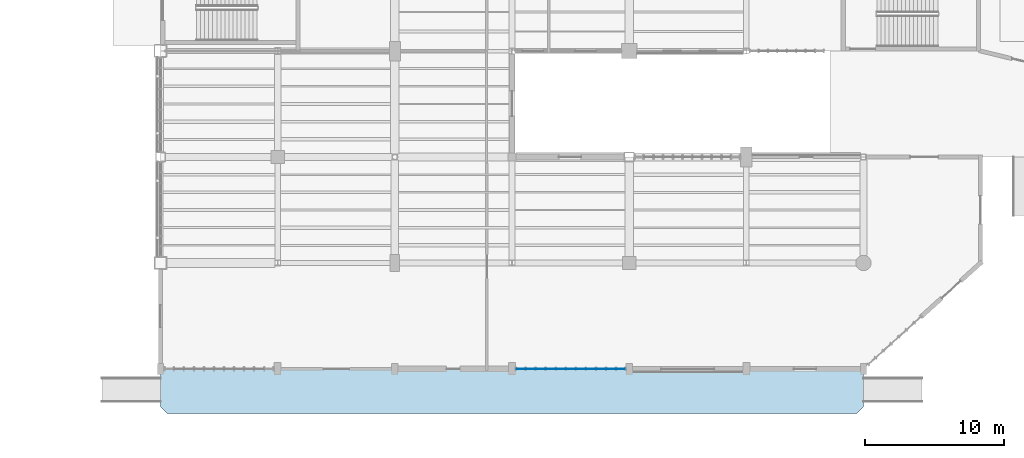
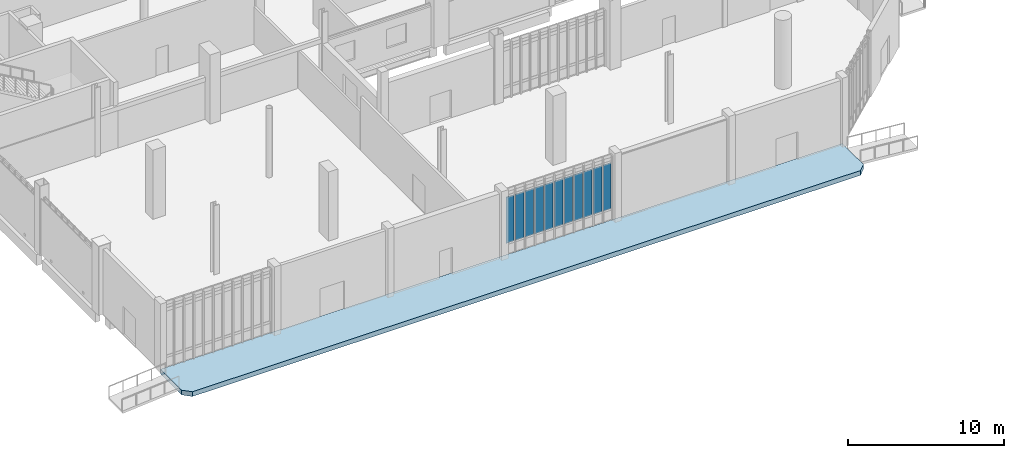
# One storey, part 52 of 111: 11 plates, 1 slab, 1 element without a shape of its own.
"""IFC4 building model written with IfcOpenShell, lengths in metres."""

from ifc_helpers import new_model, si_unit, direction, frame, origin, origin_2d, place, context, subcontext, project, spatial, polyline, rectangle, outline, extrude, material, layer, layer_set, type_object, element, aggregate, save


model = new_model("IFC4")

# Units and contexts
model_context = context("Model", 3, precision=1e-05, world=origin(), true_north=direction((0.0, 1.0)))
body_context = subcontext(model_context, "Body", "Model", "MODEL_VIEW")
ifc_project = project(units=[si_unit("LENGTHUNIT", "METRE"), si_unit("AREAUNIT", "SQUARE_METRE"), si_unit("VOLUMEUNIT", "CUBIC_METRE"), si_unit("PLANEANGLEUNIT", "RADIAN"), si_unit("MASSUNIT", "GRAM", prefix="KILO")], contexts=[model_context])

# Site, building, storey
site_placement = place(None, origin())
site = spatial("IfcSite", under=ifc_project, at=site_placement, CompositionType="ELEMENT")
building_placement = place(site_placement, origin())
building = spatial("IfcBuilding", under=site, at=building_placement, Name="Larkvane Passage Sports Hall", CompositionType="ELEMENT")
storey_placement = place(building_placement, origin())
storey = spatial("IfcBuildingStorey", under=building, at=storey_placement, Name="L00", CompositionType="ELEMENT", Elevation=0.0)

# Curtain wall, plates
ifc_material_1 = material(Name="Thermally broken aluminium and low-E glazing", Category="aluminium")
curtain_wall_type = type_object("IfcCurtainWallType", Name="CW-STICK-FOYER", PredefinedType="USERDEFINED", material=ifc_material_1)
curtain_wall_placement = place(storey_placement, origin())
curtain_wall = element("IfcCurtainWall", 1, at=curtain_wall_placement, inside=storey, type_object=curtain_wall_type, Name="Curtain wall CW5-L00-002", ObjectType="STICK CURTAIN WALL", PredefinedType="USERDEFINED")
ifc_material_2 = material(Name="High-impact court low-E glazing", Category="glass")
ifc_layer_1 = layer(ifc_material_2, 0.035888671875)
ifc_layer_set_1 = layer_set([ifc_layer_1], Name="High-impact court low-E glazing")
plate_type = type_object("IfcPlateType", Name="CWP-VIS-36", PredefinedType="CURTAIN_PANEL", material=ifc_layer_set_1)
plate_1_placement = place(storey_placement, frame((67.7958984375, 0.0, 0.89501953125), z_axis=(0.0, 0.0, 1.0), x_axis=(-1.0, 0.0, 0.0)))
plate_1 = element("IfcPlate", 2, at=plate_1_placement, type_object=plate_type, Name="CW-03 panel 1.2", PredefinedType="CURTAIN_PANEL", context=body_context, shape_type="SweptSolid", body=[
    extrude(rectangle(XDim=0.586181640625, YDim=0.035888671875, at=origin_2d()), origin(), (0.0, 0.0, 1.0), 3.610107421875),
])
plate_2_placement = place(storey_placement, frame((67.09716796875, 0.0, 0.89501953125), z_axis=(0.0, 0.0, 1.0), x_axis=(-1.0, 0.0, 0.0)))
plate_2 = element("IfcPlate", 3, at=plate_2_placement, type_object=plate_type, Name="CW-03 panel 2.2", PredefinedType="CURTAIN_PANEL", context=body_context, shape_type="SweptSolid", body=[
    extrude(rectangle(XDim=0.631103515625, YDim=0.035888671875, at=origin_2d()), origin(), (0.0, 0.0, 1.0), 3.610107421875),
])
plate_3_placement = place(storey_placement, frame((66.3759765625, 0.0, 0.89501953125), z_axis=(0.0, 0.0, 1.0), x_axis=(-1.0, 0.0, 0.0)))
plate_3 = element("IfcPlate", 4, at=plate_3_placement, type_object=plate_type, Name="CW-03 panel 3.2", PredefinedType="CURTAIN_PANEL", context=body_context, shape_type="SweptSolid", body=[
    extrude(rectangle(XDim=0.631103515625, YDim=0.035888671875, at=origin_2d()), origin(), (0.0, 0.0, 1.0), 3.610107421875),
])
plate_4_placement = place(storey_placement, frame((65.65478515625, 0.0, 0.89501953125), z_axis=(0.0, 0.0, 1.0), x_axis=(-1.0, 0.0, 0.0)))
plate_4 = element("IfcPlate", 5, at=plate_4_placement, type_object=plate_type, Name="CW-03 panel 4.2", PredefinedType="CURTAIN_PANEL", context=body_context, shape_type="SweptSolid", body=[
    extrude(rectangle(XDim=0.631103515625, YDim=0.035888671875, at=origin_2d()), origin(), (0.0, 0.0, 1.0), 3.610107421875),
])
plate_5_placement = place(storey_placement, frame((64.93359375, 0.0, 0.89501953125), z_axis=(0.0, 0.0, 1.0), x_axis=(-1.0, 0.0, 0.0)))
plate_5 = element("IfcPlate", 6, at=plate_5_placement, type_object=plate_type, Name="CW-03 panel 5.2", PredefinedType="CURTAIN_PANEL", context=body_context, shape_type="SweptSolid", body=[
    extrude(rectangle(XDim=0.631103515625, YDim=0.035888671875, at=origin_2d()), origin(), (0.0, 0.0, 1.0), 3.610107421875),
])
plate_6_placement = place(storey_placement, frame((64.21240234375, 0.0, 0.89501953125), z_axis=(0.0, 0.0, 1.0), x_axis=(-1.0, 0.0, 0.0)))
plate_6 = element("IfcPlate", 7, at=plate_6_placement, type_object=plate_type, Name="CW-03 panel 6.2", PredefinedType="CURTAIN_PANEL", context=body_context, shape_type="SweptSolid", body=[
    extrude(rectangle(XDim=0.631103515625, YDim=0.035888671875, at=origin_2d()), origin(), (0.0, 0.0, 1.0), 3.610107421875),
])
plate_7_placement = place(storey_placement, frame((63.4912109375, 0.0, 0.89501953125), z_axis=(0.0, 0.0, 1.0), x_axis=(-1.0, 0.0, 0.0)))
plate_7 = element("IfcPlate", 8, at=plate_7_placement, type_object=plate_type, Name="CW-03 panel 7.2", PredefinedType="CURTAIN_PANEL", context=body_context, shape_type="SweptSolid", body=[
    extrude(rectangle(XDim=0.631103515625, YDim=0.035888671875, at=origin_2d()), origin(), (0.0, 0.0, 1.0), 3.610107421875),
])
plate_8_placement = place(storey_placement, frame((62.77001953125, 0.0, 0.89501953125), z_axis=(0.0, 0.0, 1.0), x_axis=(-1.0, 0.0, 0.0)))
plate_8 = element("IfcPlate", 9, at=plate_8_placement, type_object=plate_type, Name="CW-03 panel 8.2", PredefinedType="CURTAIN_PANEL", context=body_context, shape_type="SweptSolid", body=[
    extrude(rectangle(XDim=0.631103515625, YDim=0.035888671875, at=origin_2d()), origin(), (0.0, 0.0, 1.0), 3.610107421875),
])
plate_9_placement = place(storey_placement, frame((62.049072265625, 0.0, 0.89501953125), z_axis=(0.0, 0.0, 1.0), x_axis=(-1.0, 0.0, 0.0)))
plate_9 = element("IfcPlate", 10, at=plate_9_placement, type_object=plate_type, Name="CW-03 panel 9.2", PredefinedType="CURTAIN_PANEL", context=body_context, shape_type="SweptSolid", body=[
    extrude(rectangle(XDim=0.631103515625, YDim=0.035888671875, at=origin_2d()), origin(), (0.0, 0.0, 1.0), 3.610107421875),
])
plate_10_placement = place(storey_placement, frame((61.327880859375, 0.0, 0.89501953125), z_axis=(0.0, 0.0, 1.0), x_axis=(-1.0, 0.0, 0.0)))
plate_10 = element("IfcPlate", 11, at=plate_10_placement, type_object=plate_type, Name="CW-03 panel 10.2", PredefinedType="CURTAIN_PANEL", context=body_context, shape_type="SweptSolid", body=[
    extrude(rectangle(XDim=0.631103515625, YDim=0.035888671875, at=origin_2d()), origin(), (0.0, 0.0, 1.0), 3.610107421875),
])
plate_11_placement = place(storey_placement, frame((60.629150390625, 0.0, 0.89501953125), z_axis=(0.0, 0.0, 1.0), x_axis=(-1.0, 0.0, 0.0)))
plate_11 = element("IfcPlate", 12, at=plate_11_placement, type_object=plate_type, Name="CW-03 panel 11.2", PredefinedType="CURTAIN_PANEL", context=body_context, shape_type="SweptSolid", body=[
    extrude(rectangle(XDim=0.586181640625, YDim=0.035888671875, at=origin_2d()), origin(), (0.0, 0.0, 1.0), 3.610107421875),
])
aggregate(curtain_wall, [plate_1, plate_2, plate_3, plate_4, plate_5, plate_6, plate_7, plate_8, plate_9, plate_10, plate_11])

# Slab
ifc_material_3 = material(Name="Concrete C40/50", Category="concrete")
ifc_layer_2 = layer(ifc_material_3, 0.3701171875)
ifc_layer_set_2 = layer_set([ifc_layer_2], Name="Concrete C40/50")
slab_type = type_object("IfcSlabType", Name="SLB-TER-215", PredefinedType="FLOOR", material=ifc_layer_set_2)
slab_placement = place(storey_placement, frame((0.0, 0.0, -0.3701171875)))
element("IfcSlab", 13, at=slab_placement, inside=storey, type_object=slab_type, Name="Exterior terrace deck SLAB-EXT-L00-SOUTH", PredefinedType="FLOOR", context=body_context, shape_type="SweptSolid", body=[
    extrude(outline(polyline([(34.800048828125, -2.699951171875), (35.300048828125, -3.199951171875), (84.699951171875, -3.199951171875), (85.199951171875, -2.699951171875), (85.199951171875, 0.0), (34.800048828125, 0.0), (34.800048828125, -2.699951171875)])), origin(), (0.0, 0.0, 1.0), 0.3701171875),
])

save(model, "model.ifc")
